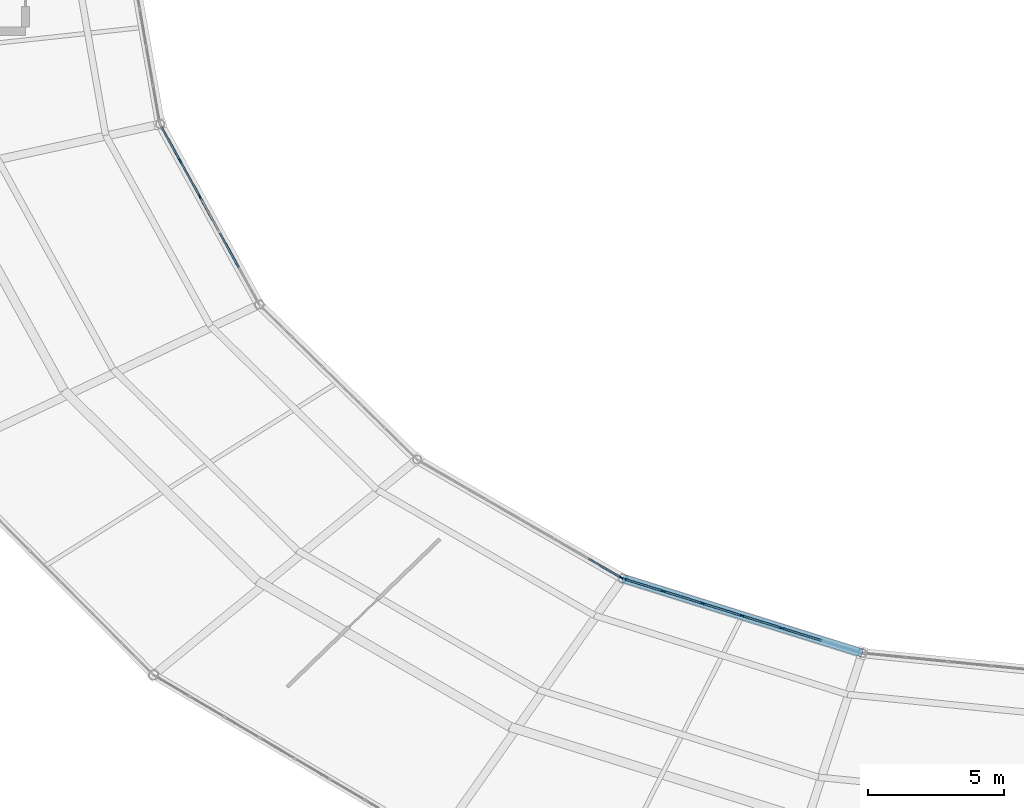
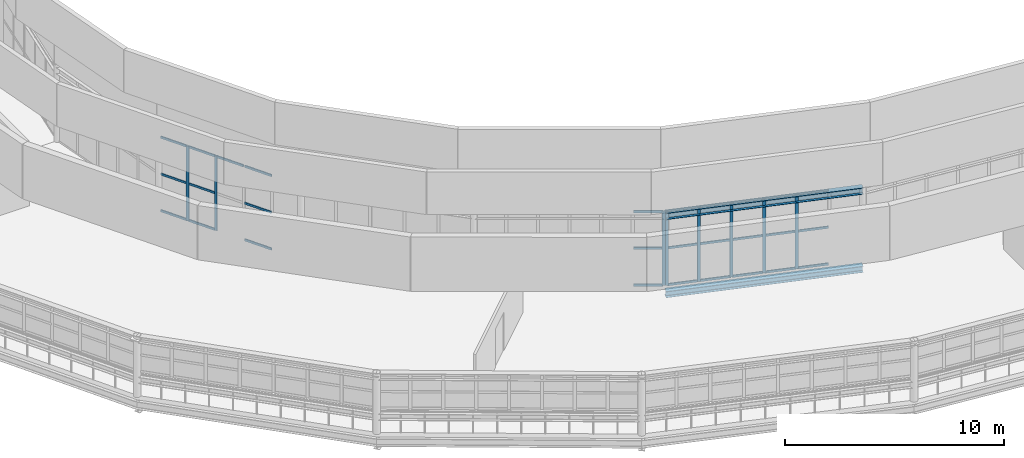
# One storey, part 45 of 123: 36 members, 2 beams, 3 elements without a shape of their own.
"""IFC4 building model written with IfcOpenShell, lengths in metres."""

from ifc_helpers import new_model, si_unit, direction, frame, origin, origin_2d, place, context, subcontext, project, spatial, rectangle, i_section, extrude, material, material_profile, profile_set, type_object, element, aggregate, save


model = new_model("IFC4")

# Units and contexts
model_context = context("Model", 3, precision=1e-05, world=origin(), true_north=direction((0.0, 1.0)))
body_context = subcontext(model_context, "Body", "Model", "MODEL_VIEW")
ifc_project = project(units=[si_unit("LENGTHUNIT", "METRE"), si_unit("AREAUNIT", "SQUARE_METRE"), si_unit("VOLUMEUNIT", "CUBIC_METRE"), si_unit("PLANEANGLEUNIT", "RADIAN"), si_unit("MASSUNIT", "GRAM", prefix="KILO")], contexts=[model_context])

# Site, building, storey
site_placement = place(None, origin())
site = spatial("IfcSite", under=ifc_project, at=site_placement, CompositionType="ELEMENT")
building_placement = place(site_placement, origin())
building = spatial("IfcBuilding", under=site, at=building_placement, Name="Kildeholm Park Wholesale Market", CompositionType="ELEMENT")
storey_placement = place(building_placement, frame((0.0, 0.0, 9.60009765625)))
storey = spatial("IfcBuildingStorey", under=building, at=storey_placement, Name="L02", CompositionType="ELEMENT", Elevation=9.60009765625)

# Beams
ifc_material_1 = material(Name="Steel S355", Category="steel")
ifc_material_profile_1 = material_profile(ifc_material_1, i_section(OverallWidth=0.300048828125, OverallDepth=0.35009765625, WebThickness=0.010009765625, FlangeThickness=0.017578125, FilletRadius=0.027099609375, at=origin_2d()), Name="HEA 360")
ifc_profile_set_1 = profile_set([ifc_material_profile_1], Name="Steel S355")
beam_type_1 = type_object("IfcBeamType", Name="Beam B-R01 HEA 360", PredefinedType="BEAM", material=ifc_profile_set_1)
beam_1_placement = place(storey_placement, frame((80.75, 65.68408203125, -0.42919921875), z_axis=(0.9545990852, -0.297893582568, 0.0), x_axis=(0.297893582568, 0.9545990852, 0.0)))
element("IfcBeam", 1, at=beam_1_placement, inside=storey, type_object=beam_type_1, Name="Beam BM-V1-L02-CI-16 BM-0151", PredefinedType="BEAM", context=body_context, shape_type="SweptSolid", body=[
    extrude(i_section(OverallWidth=0.300048828125, OverallDepth=0.35009765625, WebThickness=0.010009765625, FlangeThickness=0.017578125, FilletRadius=0.027099609375, at=origin_2d()), origin(), (0.0, 0.0, 1.0), 9.2216796875),
])
ifc_material_profile_2 = material_profile(ifc_material_1, i_section(OverallWidth=0.300048828125, OverallDepth=0.360107421875, WebThickness=0.012451171875, FlangeThickness=0.0224609375, FilletRadius=0.027099609375, at=origin_2d()), Name="HEB 360")
ifc_profile_set_2 = profile_set([ifc_material_profile_2], Name="Steel S355")
beam_type_2 = type_object("IfcBeamType", Name="Beam B-R03 HEB 360", PredefinedType="BEAM", material=ifc_profile_set_2)
beam_2_placement = place(storey_placement, frame((80.75, 65.68408203125, 3.92041015625), z_axis=(0.9545990852, -0.297893582568, 0.0), x_axis=(0.297893582568, 0.9545990852, 0.0)))
element("IfcBeam", 2, at=beam_2_placement, inside=storey, type_object=beam_type_2, Name="Beam BM-V1-RF-IN-16 BM-0319", PredefinedType="BEAM", context=body_context, shape_type="SweptSolid", body=[
    extrude(i_section(OverallWidth=0.300048828125, OverallDepth=0.360107421875, WebThickness=0.012451171875, FlangeThickness=0.0224609375, FilletRadius=0.027099609375, at=origin_2d()), origin(), (0.0, 0.0, 1.0), 9.2216796875),
])

# Curtain wall, members
ifc_material_2 = material(Name="Anodised aluminium and low-E double-glazed glass", Category="aluminium")
curtain_wall_type = type_object("IfcCurtainWallType", Name="Clerestory daylight stick curtain wall CW-02", PredefinedType="NOTDEFINED", material=ifc_material_2)
curtain_wall_1_placement = place(storey_placement, origin())
curtain_wall_1 = element("IfcCurtainWall", 3, at=curtain_wall_1_placement, inside=storey, type_object=curtain_wall_type, Name="Curtain wall CW-V1-IN2-13 CW-0068", PredefinedType="NOTDEFINED")
ifc_material_3 = material(Name="Anodised aluminium", Category="aluminium")
ifc_material_profile_3 = material_profile(ifc_material_3, rectangle(XDim=0.06005859375, YDim=0.14990234375, at=origin_2d()), Name="CWM 60x150")
ifc_profile_set_3 = profile_set([ifc_material_profile_3], Name="Anodised aluminium")
member_type_1 = type_object("IfcMemberType", Name="Curtain-wall mullion CWM-3 CWM 60x150", PredefinedType="MULLION", material=ifc_profile_set_3)
member_1_placement = place(storey_placement, frame((64.478515625, 81.033447265625, 0.0), z_axis=(0.0, 0.0, 1.0), x_axis=(0.876308922506, 0.481749595055, 0.0)))
member_1 = element("IfcMember", 4, at=member_1_placement, type_object=member_type_1, Name="CW-02 mullion 2 MEM-2226", PredefinedType="MULLION", context=body_context, shape_type="SweptSolid", body=[
    extrude(rectangle(XDim=0.06005859375, YDim=0.14990234375, at=origin_2d()), origin(), (0.0, 0.0, 1.0), 4.14990234375),
])
member_2_placement = place(storey_placement, frame((65.2001953125, 79.720703125, 0.0), z_axis=(0.0, 0.0, 1.0), x_axis=(0.876308922506, 0.481749595055, 0.0)))
member_2 = element("IfcMember", 5, at=member_2_placement, type_object=member_type_1, Name="CW-02 mullion 3 MEM-2227", PredefinedType="MULLION", context=body_context, shape_type="SweptSolid", body=[
    extrude(rectangle(XDim=0.06005859375, YDim=0.14990234375, at=origin_2d()), origin(), (0.0, 0.0, 1.0), 4.14990234375),
])

# Curtain wall, member
curtain_wall_2_placement = place(storey_placement, origin())
curtain_wall_2 = element("IfcCurtainWall", 6, at=curtain_wall_2_placement, inside=storey, type_object=curtain_wall_type, Name="Curtain wall CW-V1-IN2-15 CW-0078", PredefinedType="NOTDEFINED")
member_3_placement = place(storey_placement, frame((80.68603515625, 65.716064453125, 0.0), z_axis=(0.0, 0.0, 1.0), x_axis=(0.500489412982, 0.865742656621, 0.0)))
member_3 = element("IfcMember", 7, at=member_3_placement, type_object=member_type_1, Name="CW-02 mullion 7 MEM-2501", PredefinedType="MULLION", context=body_context, shape_type="SweptSolid", body=[
    extrude(rectangle(XDim=0.06005859375, YDim=0.14990234375, at=origin_2d()), origin(), (0.0, 0.0, 1.0), 4.14990234375),
])

# Curtain wall, members
curtain_wall_3_placement = place(storey_placement, origin())
curtain_wall_3 = element("IfcCurtainWall", 8, at=curtain_wall_3_placement, inside=storey, type_object=curtain_wall_type, Name="Curtain wall CW-V1-IN2-16 CW-0083", PredefinedType="NOTDEFINED")
member_4_placement = place(storey_placement, frame((80.814697265625, 65.66015625, 0.0), z_axis=(0.0, 0.0, 1.0), x_axis=(0.297957339818, 0.954579186683, 0.0)))
member_4 = element("IfcMember", 9, at=member_4_placement, type_object=member_type_1, Name="CW-02 mullion 1 MEM-2644", PredefinedType="MULLION", context=body_context, shape_type="SweptSolid", body=[
    extrude(rectangle(XDim=0.06005859375, YDim=0.14990234375, at=origin_2d()), origin(), (0.0, 0.0, 1.0), 4.14990234375),
])
member_5_placement = place(storey_placement, frame((82.240478515625, 65.215087890625, 0.0), z_axis=(0.0, 0.0, 1.0), x_axis=(0.297957339818, 0.954579186683, 0.0)))
member_5 = element("IfcMember", 10, at=member_5_placement, type_object=member_type_1, Name="CW-02 mullion 2 MEM-2645", PredefinedType="MULLION", context=body_context, shape_type="SweptSolid", body=[
    extrude(rectangle(XDim=0.06005859375, YDim=0.14990234375, at=origin_2d()), origin(), (0.0, 0.0, 1.0), 4.14990234375),
])
member_6_placement = place(storey_placement, frame((83.695068359375, 64.760986328125, 0.0), z_axis=(0.0, 0.0, 1.0), x_axis=(0.297957339818, 0.954579186683, 0.0)))
member_6 = element("IfcMember", 11, at=member_6_placement, type_object=member_type_1, Name="CW-02 mullion 3 MEM-2646", PredefinedType="MULLION", context=body_context, shape_type="SweptSolid", body=[
    extrude(rectangle(XDim=0.06005859375, YDim=0.14990234375, at=origin_2d()), origin(), (0.0, 0.0, 1.0), 4.14990234375),
])
member_7_placement = place(storey_placement, frame((85.1494140625, 64.306884765625, 0.0), z_axis=(0.0, 0.0, 1.0), x_axis=(0.297957339818, 0.954579186683, 0.0)))
member_7 = element("IfcMember", 12, at=member_7_placement, type_object=member_type_1, Name="CW-02 mullion 4 MEM-2647", PredefinedType="MULLION", context=body_context, shape_type="SweptSolid", body=[
    extrude(rectangle(XDim=0.06005859375, YDim=0.14990234375, at=origin_2d()), origin(), (0.0, 0.0, 1.0), 4.14990234375),
])
member_8_placement = place(storey_placement, frame((86.60400390625, 63.85302734375, 0.0), z_axis=(0.0, 0.0, 1.0), x_axis=(0.297957339818, 0.954579186683, 0.0)))
member_8 = element("IfcMember", 13, at=member_8_placement, type_object=member_type_1, Name="CW-02 mullion 5 MEM-2648", PredefinedType="MULLION", context=body_context, shape_type="SweptSolid", body=[
    extrude(rectangle(XDim=0.06005859375, YDim=0.14990234375, at=origin_2d()), origin(), (0.0, 0.0, 1.0), 4.14990234375),
])

# Member
ifc_material_profile_4 = material_profile(ifc_material_3, rectangle(XDim=0.06005859375, YDim=0.1201171875, at=origin_2d()), Name="CWT 60x120")
ifc_profile_set_4 = profile_set([ifc_material_profile_4], Name="Anodised aluminium")
member_type_2 = type_object("IfcMemberType", Name="Curtain-wall transom CWT-3 CWT 60x120", PredefinedType="USERDEFINED", material=ifc_profile_set_4)
member_9_placement = place(storey_placement, frame((63.785888671875, 82.29345703125, 0.02978515625), z_axis=(0.481692421083, -0.876340351388, 0.0), x_axis=(0.876340351388, 0.481692421083, 0.0)))
member_9 = element("IfcMember", 14, at=member_9_placement, type_object=member_type_2, Name="CW-02 transom 1.1 MEM-2231", ObjectType="TRANSOM", PredefinedType="USERDEFINED", context=body_context, shape_type="SweptSolid", body=[
    extrude(rectangle(XDim=0.06005859375, YDim=0.1201171875, at=origin_2d()), origin(), (0.0, 0.0, 1.0), 1.407958984375),
])

member_10_placement = place(storey_placement, frame((63.785888671875, 82.29345703125, 2.074951171875), z_axis=(0.481692421083, -0.876340351388, 0.0), x_axis=(0.876340351388, 0.481692421083, 0.0)))
member_10 = element("IfcMember", 15, at=member_10_placement, type_object=member_type_2, Name="CW-02 transom 1.2 MEM-2232", ObjectType="TRANSOM", PredefinedType="USERDEFINED", context=body_context, shape_type="SweptSolid", body=[
    extrude(rectangle(XDim=0.06005859375, YDim=0.1201171875, at=origin_2d()), origin(), (0.0, 0.0, 1.0), 1.407958984375),
])

member_11_placement = place(storey_placement, frame((63.785888671875, 82.29345703125, 4.119873046875), z_axis=(0.481692421083, -0.876340351388, 0.0), x_axis=(0.876340351388, 0.481692421083, 0.0)))
member_11 = element("IfcMember", 16, at=member_11_placement, type_object=member_type_2, Name="CW-02 transom 1.3 MEM-2233", ObjectType="TRANSOM", PredefinedType="USERDEFINED", context=body_context, shape_type="SweptSolid", body=[
    extrude(rectangle(XDim=0.06005859375, YDim=0.1201171875, at=origin_2d()), origin(), (0.0, 0.0, 1.0), 1.407958984375),
])

member_12_placement = place(storey_placement, frame((64.4931640625, 81.007080078125, 0.02978515625), z_axis=(0.481716674184, -0.876327019903, 0.0), x_axis=(0.876327019903, 0.481716674184, 0.0)))
member_12 = element("IfcMember", 17, at=member_12_placement, type_object=member_type_2, Name="CW-02 transom 2.1 MEM-2234", ObjectType="TRANSOM", PredefinedType="USERDEFINED", context=body_context, shape_type="SweptSolid", body=[
    extrude(rectangle(XDim=0.06005859375, YDim=0.1201171875, at=origin_2d()), origin(), (0.0, 0.0, 1.0), 1.437744140625),
])

member_13_placement = place(storey_placement, frame((64.4931640625, 81.007080078125, 2.074951171875), z_axis=(0.481716674184, -0.876327019903, 0.0), x_axis=(0.876327019903, 0.481716674184, 0.0)))
member_13 = element("IfcMember", 18, at=member_13_placement, type_object=member_type_2, Name="CW-02 transom 2.2 MEM-2235", ObjectType="TRANSOM", PredefinedType="USERDEFINED", context=body_context, shape_type="SweptSolid", body=[
    extrude(rectangle(XDim=0.06005859375, YDim=0.1201171875, at=origin_2d()), origin(), (0.0, 0.0, 1.0), 1.437744140625),
])

member_14_placement = place(storey_placement, frame((64.4931640625, 81.007080078125, 4.119873046875), z_axis=(0.481716674184, -0.876327019903, 0.0), x_axis=(0.876327019903, 0.481716674184, 0.0)))
member_14 = element("IfcMember", 19, at=member_14_placement, type_object=member_type_2, Name="CW-02 transom 2.3 MEM-2236", ObjectType="TRANSOM", PredefinedType="USERDEFINED", context=body_context, shape_type="SweptSolid", body=[
    extrude(rectangle(XDim=0.06005859375, YDim=0.1201171875, at=origin_2d()), origin(), (0.0, 0.0, 1.0), 1.437744140625),
])

member_15_placement = place(storey_placement, frame((65.214599609375, 79.694580078125, 4.119873046875), z_axis=(0.481716674184, -0.876327019903, 0.0), x_axis=(0.876327019903, 0.481716674184, 0.0)))
member_15 = element("IfcMember", 20, at=member_15_placement, type_object=member_type_2, Name="CW-02 transom 3.3 MEM-2239", ObjectType="TRANSOM", PredefinedType="USERDEFINED", context=body_context, shape_type="SweptSolid", body=[
    extrude(rectangle(XDim=0.06005859375, YDim=0.1201171875, at=origin_2d()), origin(), (0.0, 0.0, 1.0), 1.437744140625),
])

member_16_placement = place(storey_placement, frame((65.936279296875, 78.3818359375, 0.02978515625), z_axis=(0.481716674184, -0.876327019903, 0.0), x_axis=(0.876327019903, 0.481716674184, 0.0)))
member_16 = element("IfcMember", 21, at=member_16_placement, type_object=member_type_2, Name="CW-02 transom 4.1 MEM-2240", ObjectType="TRANSOM", PredefinedType="USERDEFINED", context=body_context, shape_type="SweptSolid", body=[
    extrude(rectangle(XDim=0.06005859375, YDim=0.1201171875, at=origin_2d()), origin(), (0.0, 0.0, 1.0), 1.437744140625),
])

member_17_placement = place(storey_placement, frame((65.936279296875, 78.3818359375, 2.074951171875), z_axis=(0.481716674184, -0.876327019903, 0.0), x_axis=(0.876327019903, 0.481716674184, 0.0)))
member_17 = element("IfcMember", 22, at=member_17_placement, type_object=member_type_2, Name="CW-02 transom 4.2 MEM-2241", ObjectType="TRANSOM", PredefinedType="USERDEFINED", context=body_context, shape_type="SweptSolid", body=[
    extrude(rectangle(XDim=0.06005859375, YDim=0.1201171875, at=origin_2d()), origin(), (0.0, 0.0, 1.0), 1.437744140625),
])

member_18_placement = place(storey_placement, frame((65.936279296875, 78.3818359375, 4.119873046875), z_axis=(0.481716674184, -0.876327019903, 0.0), x_axis=(0.876327019903, 0.481716674184, 0.0)))
member_18 = element("IfcMember", 23, at=member_18_placement, type_object=member_type_2, Name="CW-02 transom 4.3 MEM-2242", ObjectType="TRANSOM", PredefinedType="USERDEFINED", context=body_context, shape_type="SweptSolid", body=[
    extrude(rectangle(XDim=0.06005859375, YDim=0.1201171875, at=origin_2d()), origin(), (0.0, 0.0, 1.0), 1.437744140625),
])

aggregate(curtain_wall_1, [member_1, member_2, member_9, member_10, member_11, member_12, member_13, member_14, member_15, member_16, member_17, member_18])

member_19_placement = place(storey_placement, frame((79.48974609375, 66.40771484375, 0.02978515625), z_axis=(0.865698151159, -0.500566390282, 0.0), x_axis=(0.500566390282, 0.865698151159, 0.0)))
member_19 = element("IfcMember", 24, at=member_19_placement, type_object=member_type_2, Name="CW-02 transom 6.1 MEM-2517", ObjectType="TRANSOM", PredefinedType="USERDEFINED", context=body_context, shape_type="SweptSolid", body=[
    extrude(rectangle(XDim=0.06005859375, YDim=0.1201171875, at=origin_2d()), origin(), (0.0, 0.0, 1.0), 1.35205078125),
])

member_20_placement = place(storey_placement, frame((79.48974609375, 66.40771484375, 2.074951171875), z_axis=(0.865698151159, -0.500566390282, 0.0), x_axis=(0.500566390282, 0.865698151159, 0.0)))
member_20 = element("IfcMember", 25, at=member_20_placement, type_object=member_type_2, Name="CW-02 transom 6.2 MEM-2518", ObjectType="TRANSOM", PredefinedType="USERDEFINED", context=body_context, shape_type="SweptSolid", body=[
    extrude(rectangle(XDim=0.06005859375, YDim=0.1201171875, at=origin_2d()), origin(), (0.0, 0.0, 1.0), 1.35205078125),
])

member_21_placement = place(storey_placement, frame((79.48974609375, 66.40771484375, 4.119873046875), z_axis=(0.865698151159, -0.500566390282, 0.0), x_axis=(0.500566390282, 0.865698151159, 0.0)))
member_21 = element("IfcMember", 26, at=member_21_placement, type_object=member_type_2, Name="CW-02 transom 6.3 MEM-2519", ObjectType="TRANSOM", PredefinedType="USERDEFINED", context=body_context, shape_type="SweptSolid", body=[
    extrude(rectangle(XDim=0.06005859375, YDim=0.1201171875, at=origin_2d()), origin(), (0.0, 0.0, 1.0), 1.35205078125),
])

aggregate(curtain_wall_2, [member_3, member_19, member_20, member_21])

member_22_placement = place(storey_placement, frame((80.84326171875, 65.651123046875, 0.02978515625), z_axis=(0.954570828719, -0.29798411528, 0.0), x_axis=(0.29798411528, 0.954570828719, 0.0)))
member_22 = element("IfcMember", 27, at=member_22_placement, type_object=member_type_2, Name="CW-02 transom 1.1 MEM-2651", ObjectType="TRANSOM", PredefinedType="USERDEFINED", context=body_context, shape_type="SweptSolid", body=[
    extrude(rectangle(XDim=0.06005859375, YDim=0.1201171875, at=origin_2d()), origin(), (0.0, 0.0, 1.0), 1.433837890625),
])

member_23_placement = place(storey_placement, frame((80.84326171875, 65.651123046875, 2.074951171875), z_axis=(0.954570828719, -0.29798411528, 0.0), x_axis=(0.29798411528, 0.954570828719, 0.0)))
member_23 = element("IfcMember", 28, at=member_23_placement, type_object=member_type_2, Name="CW-02 transom 1.2 MEM-2652", ObjectType="TRANSOM", PredefinedType="USERDEFINED", context=body_context, shape_type="SweptSolid", body=[
    extrude(rectangle(XDim=0.06005859375, YDim=0.1201171875, at=origin_2d()), origin(), (0.0, 0.0, 1.0), 1.433837890625),
])

member_24_placement = place(storey_placement, frame((80.84326171875, 65.651123046875, 4.119873046875), z_axis=(0.954570828719, -0.29798411528, 0.0), x_axis=(0.29798411528, 0.954570828719, 0.0)))
member_24 = element("IfcMember", 29, at=member_24_placement, type_object=member_type_2, Name="CW-02 transom 1.3 MEM-2653", ObjectType="TRANSOM", PredefinedType="USERDEFINED", context=body_context, shape_type="SweptSolid", body=[
    extrude(rectangle(XDim=0.06005859375, YDim=0.1201171875, at=origin_2d()), origin(), (0.0, 0.0, 1.0), 1.433837890625),
])

member_25_placement = place(storey_placement, frame((82.26904296875, 65.2060546875, 0.02978515625), z_axis=(0.954595656964, -0.297904568118, 0.0), x_axis=(0.297904568118, 0.954595656964, 0.0)))
member_25 = element("IfcMember", 30, at=member_25_placement, type_object=member_type_2, Name="CW-02 transom 2.1 MEM-2654", ObjectType="TRANSOM", PredefinedType="USERDEFINED", context=body_context, shape_type="SweptSolid", body=[
    extrude(rectangle(XDim=0.06005859375, YDim=0.1201171875, at=origin_2d()), origin(), (0.0, 0.0, 1.0), 1.463623046875),
])

member_26_placement = place(storey_placement, frame((82.26904296875, 65.2060546875, 2.074951171875), z_axis=(0.954595656964, -0.297904568118, 0.0), x_axis=(0.297904568118, 0.954595656964, 0.0)))
member_26 = element("IfcMember", 31, at=member_26_placement, type_object=member_type_2, Name="CW-02 transom 2.2 MEM-2655", ObjectType="TRANSOM", PredefinedType="USERDEFINED", context=body_context, shape_type="SweptSolid", body=[
    extrude(rectangle(XDim=0.06005859375, YDim=0.1201171875, at=origin_2d()), origin(), (0.0, 0.0, 1.0), 1.463623046875),
])

member_27_placement = place(storey_placement, frame((82.26904296875, 65.2060546875, 4.119873046875), z_axis=(0.954595656964, -0.297904568118, 0.0), x_axis=(0.297904568118, 0.954595656964, 0.0)))
member_27 = element("IfcMember", 32, at=member_27_placement, type_object=member_type_2, Name="CW-02 transom 2.3 MEM-2656", ObjectType="TRANSOM", PredefinedType="USERDEFINED", context=body_context, shape_type="SweptSolid", body=[
    extrude(rectangle(XDim=0.06005859375, YDim=0.1201171875, at=origin_2d()), origin(), (0.0, 0.0, 1.0), 1.463623046875),
])

member_28_placement = place(storey_placement, frame((83.7236328125, 64.751953125, 0.02978515625), z_axis=(0.954595656964, -0.297904568118, 0.0), x_axis=(0.297904568118, 0.954595656964, 0.0)))
member_28 = element("IfcMember", 33, at=member_28_placement, type_object=member_type_2, Name="CW-02 transom 3.1 MEM-2657", ObjectType="TRANSOM", PredefinedType="USERDEFINED", context=body_context, shape_type="SweptSolid", body=[
    extrude(rectangle(XDim=0.06005859375, YDim=0.1201171875, at=origin_2d()), origin(), (0.0, 0.0, 1.0), 1.463623046875),
])

member_29_placement = place(storey_placement, frame((83.7236328125, 64.751953125, 2.074951171875), z_axis=(0.954595656964, -0.297904568118, 0.0), x_axis=(0.297904568118, 0.954595656964, 0.0)))
member_29 = element("IfcMember", 34, at=member_29_placement, type_object=member_type_2, Name="CW-02 transom 3.2 MEM-2658", ObjectType="TRANSOM", PredefinedType="USERDEFINED", context=body_context, shape_type="SweptSolid", body=[
    extrude(rectangle(XDim=0.06005859375, YDim=0.1201171875, at=origin_2d()), origin(), (0.0, 0.0, 1.0), 1.463623046875),
])

member_30_placement = place(storey_placement, frame((83.7236328125, 64.751953125, 4.119873046875), z_axis=(0.954595656964, -0.297904568118, 0.0), x_axis=(0.297904568118, 0.954595656964, 0.0)))
member_30 = element("IfcMember", 35, at=member_30_placement, type_object=member_type_2, Name="CW-02 transom 3.3 MEM-2659", ObjectType="TRANSOM", PredefinedType="USERDEFINED", context=body_context, shape_type="SweptSolid", body=[
    extrude(rectangle(XDim=0.06005859375, YDim=0.1201171875, at=origin_2d()), origin(), (0.0, 0.0, 1.0), 1.463623046875),
])

member_31_placement = place(storey_placement, frame((85.17822265625, 64.298095703125, 0.02978515625), z_axis=(0.954595656964, -0.297904568118, 0.0), x_axis=(0.297904568118, 0.954595656964, 0.0)))
member_31 = element("IfcMember", 36, at=member_31_placement, type_object=member_type_2, Name="CW-02 transom 4.1 MEM-2660", ObjectType="TRANSOM", PredefinedType="USERDEFINED", context=body_context, shape_type="SweptSolid", body=[
    extrude(rectangle(XDim=0.06005859375, YDim=0.1201171875, at=origin_2d()), origin(), (0.0, 0.0, 1.0), 1.463623046875),
])

member_32_placement = place(storey_placement, frame((85.17822265625, 64.298095703125, 2.074951171875), z_axis=(0.954595656964, -0.297904568118, 0.0), x_axis=(0.297904568118, 0.954595656964, 0.0)))
member_32 = element("IfcMember", 37, at=member_32_placement, type_object=member_type_2, Name="CW-02 transom 4.2 MEM-2661", ObjectType="TRANSOM", PredefinedType="USERDEFINED", context=body_context, shape_type="SweptSolid", body=[
    extrude(rectangle(XDim=0.06005859375, YDim=0.1201171875, at=origin_2d()), origin(), (0.0, 0.0, 1.0), 1.463623046875),
])

member_33_placement = place(storey_placement, frame((85.17822265625, 64.298095703125, 4.119873046875), z_axis=(0.954595656964, -0.297904568118, 0.0), x_axis=(0.297904568118, 0.954595656964, 0.0)))
member_33 = element("IfcMember", 38, at=member_33_placement, type_object=member_type_2, Name="CW-02 transom 4.3 MEM-2662", ObjectType="TRANSOM", PredefinedType="USERDEFINED", context=body_context, shape_type="SweptSolid", body=[
    extrude(rectangle(XDim=0.06005859375, YDim=0.1201171875, at=origin_2d()), origin(), (0.0, 0.0, 1.0), 1.463623046875),
])

member_34_placement = place(storey_placement, frame((86.632568359375, 63.843994140625, 0.02978515625), z_axis=(0.954595656964, -0.297904568118, 0.0), x_axis=(0.297904568118, 0.954595656964, 0.0)))
member_34 = element("IfcMember", 39, at=member_34_placement, type_object=member_type_2, Name="CW-02 transom 5.1 MEM-2663", ObjectType="TRANSOM", PredefinedType="USERDEFINED", context=body_context, shape_type="SweptSolid", body=[
    extrude(rectangle(XDim=0.06005859375, YDim=0.1201171875, at=origin_2d()), origin(), (0.0, 0.0, 1.0), 1.463623046875),
])

member_35_placement = place(storey_placement, frame((86.632568359375, 63.843994140625, 2.074951171875), z_axis=(0.954595656964, -0.297904568118, 0.0), x_axis=(0.297904568118, 0.954595656964, 0.0)))
member_35 = element("IfcMember", 40, at=member_35_placement, type_object=member_type_2, Name="CW-02 transom 5.2 MEM-2664", ObjectType="TRANSOM", PredefinedType="USERDEFINED", context=body_context, shape_type="SweptSolid", body=[
    extrude(rectangle(XDim=0.06005859375, YDim=0.1201171875, at=origin_2d()), origin(), (0.0, 0.0, 1.0), 1.463623046875),
])

member_36_placement = place(storey_placement, frame((86.632568359375, 63.843994140625, 4.119873046875), z_axis=(0.954595656964, -0.297904568118, 0.0), x_axis=(0.297904568118, 0.954595656964, 0.0)))
member_36 = element("IfcMember", 41, at=member_36_placement, type_object=member_type_2, Name="CW-02 transom 5.3 MEM-2665", ObjectType="TRANSOM", PredefinedType="USERDEFINED", context=body_context, shape_type="SweptSolid", body=[
    extrude(rectangle(XDim=0.06005859375, YDim=0.1201171875, at=origin_2d()), origin(), (0.0, 0.0, 1.0), 1.463623046875),
])

aggregate(curtain_wall_3, [member_4, member_5, member_6, member_7, member_8, member_22, member_23, member_24, member_25, member_26, member_27, member_28, member_29, member_30, member_31, member_32, member_33, member_34, member_35, member_36])

save(model, "model.ifc")
